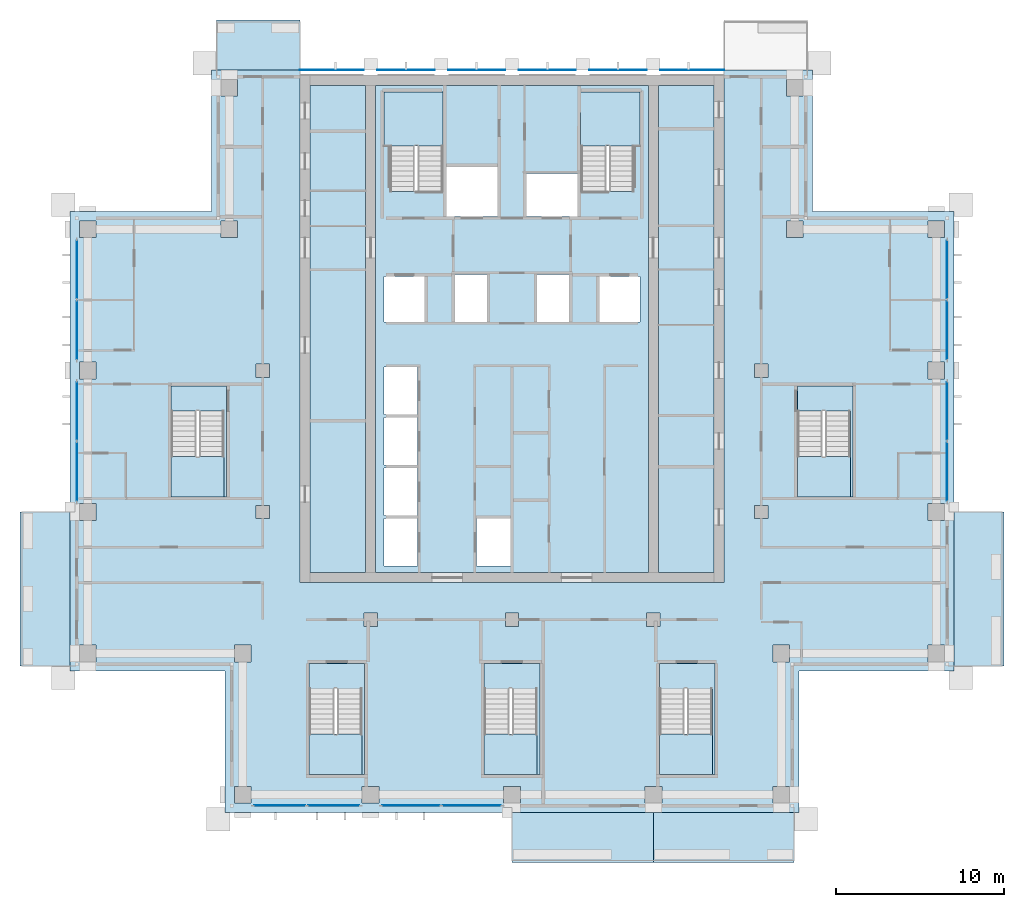
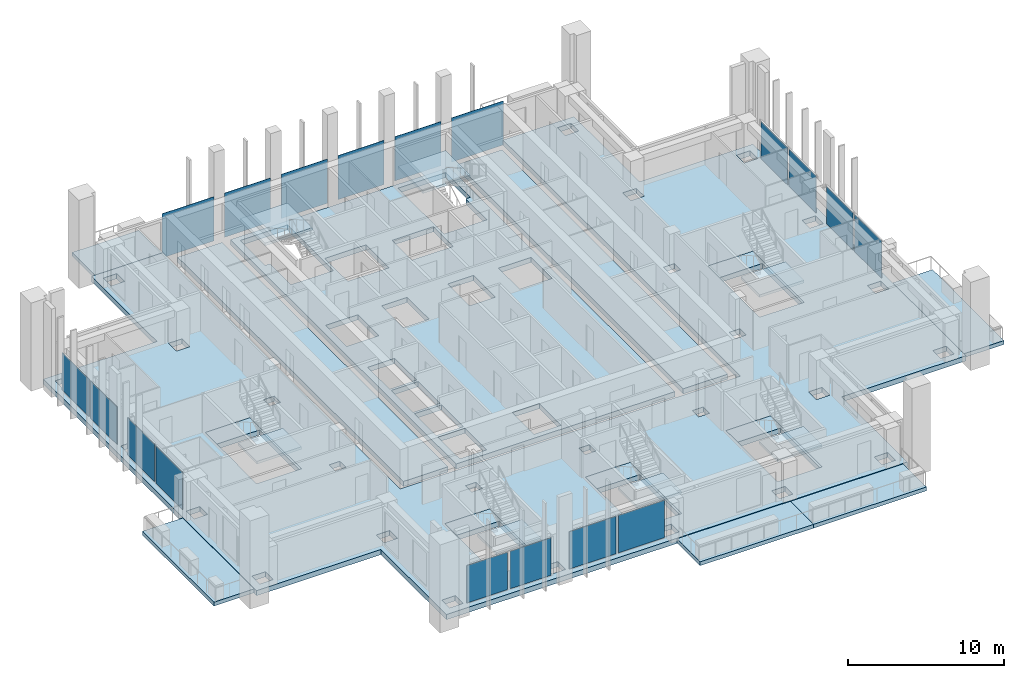
# One storey, part 7 of 18: 21 slabs, 18 plates, 13 elements without a shape of their own.
"""IFC4 building model written with IfcOpenShell, lengths in metres."""

import ifcopenshell
import ifcopenshell.guid

model = None  # the IFC model being written
_history = None  # IfcOwnerHistory: only IFC2X3 demands one
_inside = {}  # id of a spatial element -> (the spatial element, [elements in it])
_under = {}  # id of a project, library or spatial element -> (it, [spatial elements below it])
_declared = {}  # id of a project -> (the project, [libraries it declares])
_typed = {}  # id of a type object -> (the type object, [elements of that type])
_made_of = {}  # id of a material, layer set ... -> (it, [elements and type objects made of it])


def new_model(schema):
    """Start an empty IFC model of exactly this schema.

    Asked for "IFC4X3", IfcOpenShell would pick the latest addendum, in which some entities
    have other attributes; the version numbers below select the first issue.
    IFC2X3 requires an IfcOwnerHistory on every rooted entity: one is made here for all.
    """
    global model, _history
    if schema == "IFC4X3":
        model = ifcopenshell.file(schema_version=(4, 3, 0, 0))
    else:
        model = ifcopenshell.file(schema=schema)
    _inside.clear()
    _under.clear()
    _declared.clear()
    _typed.clear()
    _made_of.clear()
    _history = None
    if model.schema == "IFC2X3":
        org = make("IfcOrganization", Name="unknown")
        user = make(
            "IfcPersonAndOrganization",
            ThePerson=make("IfcPerson", FamilyName="unknown"),
            TheOrganization=org,
        )
        app = make(
            "IfcApplication",
            ApplicationDeveloper=org,
            Version="unknown",
            ApplicationFullName="unknown",
            ApplicationIdentifier="unknown",
        )
        _history = make(
            "IfcOwnerHistory",
            OwningUser=user,
            OwningApplication=app,
            ChangeAction="ADDED",
            CreationDate=0,
        )
    return model


def make(cls, **values):
    """One entity of the class cls with the attributes given. An attribute that is None is left unset."""
    return model.create_entity(
        cls, **{name: value for name, value in values.items() if value is not None}
    )


def rooted(cls, **values):
    """An entity with a GlobalId (a new one), such as an element, a storey or a relation."""
    return make(cls, GlobalId=ifcopenshell.guid.new(), OwnerHistory=_history, **values)


def si_unit(unit_type, name, prefix=None):
    """IfcSIUnit, for example si_unit("LENGTHUNIT", "METRE", prefix="MILLI")."""
    return make("IfcSIUnit", UnitType=unit_type, Prefix=prefix, Name=name)


def assignment(units):
    """IfcUnitAssignment: the units of a project."""
    return None if units is None else make("IfcUnitAssignment", Units=units)


def point(xyz):
    """IfcCartesianPoint."""
    return None if xyz is None else make("IfcCartesianPoint", Coordinates=xyz)


def direction(xyz):
    """IfcDirection."""
    return None if xyz is None else make("IfcDirection", DirectionRatios=xyz)


def frame(location, z_axis=None, x_axis=None):
    """IfcAxis2Placement3D, a coordinate frame: its origin and axes. An axis left out is left unset."""
    return make(
        "IfcAxis2Placement3D",
        Location=point(location),
        Axis=direction(z_axis),
        RefDirection=direction(x_axis),
    )


def frame_2d(location, x_axis=None):
    """IfcAxis2Placement2D, a coordinate frame in the plane: its origin and x axis."""
    return make(
        "IfcAxis2Placement2D", Location=point(location), RefDirection=direction(x_axis)
    )


def origin():
    """The frame at (0, 0, 0) with its axes left unset."""
    return frame((0.0, 0.0, 0.0))


def origin_2d():
    """The frame at (0, 0) in the plane with its x axis left unset."""
    return frame_2d((0.0, 0.0))


def place(relative_to, where):
    """IfcLocalPlacement: puts the frame where relative to a parent placement (None: the world)."""
    return make(
        "IfcLocalPlacement", PlacementRelTo=relative_to, RelativePlacement=where
    )


def context(
    kind, dimensions, precision=None, world=None, true_north=None, identifier=None
):
    """IfcGeometricRepresentationContext, for example the 3D "Model" context."""
    return make(
        "IfcGeometricRepresentationContext",
        ContextIdentifier=identifier,
        ContextType=kind,
        CoordinateSpaceDimension=dimensions,
        Precision=precision,
        WorldCoordinateSystem=world,
        TrueNorth=true_north,
    )


def subcontext(parent, identifier, kind, view, scale=None):
    """IfcGeometricRepresentationSubContext, for example "Body" below "Model"."""
    return make(
        "IfcGeometricRepresentationSubContext",
        ContextIdentifier=identifier,
        ContextType=kind,
        ParentContext=parent,
        TargetScale=scale,
        TargetView=view,
    )


def project(units=None, contexts=None):
    """IfcProject with its units and contexts."""
    return rooted(
        "IfcProject",
        Name="project",
        RepresentationContexts=contexts,
        UnitsInContext=assignment(units),
    )


def spatial(cls, under=None, at=None, **own):
    """A site, building, storey or space (cls), placed at a placement, below another one or the project."""
    s = rooted(cls, ObjectPlacement=at, **own)
    if under is not None:
        _under.setdefault(under.id(), (under, []))[1].append(s)
    return s


def polyline(points):
    """IfcPolyline through the points."""
    return make("IfcPolyline", Points=[point(p) for p in points])


def profile(cls, at=None, kind="AREA", **sizes):
    """A parametric profile (cls). Its sizes go by their IFC names, for example OverallWidth=200.0."""
    return make(cls, ProfileType=kind, Position=at, **sizes)


def rectangle(**sizes):
    """IfcRectangleProfileDef."""
    return profile("IfcRectangleProfileDef", **sizes)


def outline(outer, holes=None, kind="AREA"):
    """IfcArbitraryClosedProfileDef: a profile drawn as a closed curve; with holes, ...WithVoids."""
    if holes is None:
        return make("IfcArbitraryClosedProfileDef", ProfileType=kind, OuterCurve=outer)
    return make(
        "IfcArbitraryProfileDefWithVoids",
        ProfileType=kind,
        OuterCurve=outer,
        InnerCurves=holes,
    )


def extrude(swept, where, along, depth):
    """IfcExtrudedAreaSolid: the profile swept, set in the frame where, extruded along a direction by depth."""
    return make(
        "IfcExtrudedAreaSolid",
        SweptArea=swept,
        Position=where,
        ExtrudedDirection=direction(along),
        Depth=depth,
    )


def shape(context_of_items, identifier, shape_type, items):
    """IfcShapeRepresentation: the items that make up one representation, for example the "Body"."""
    return make(
        "IfcShapeRepresentation",
        ContextOfItems=context_of_items,
        RepresentationIdentifier=identifier,
        RepresentationType=shape_type,
        Items=items,
    )


def material(Name=None, Category=None):
    """IfcMaterial."""
    return make("IfcMaterial", Name=Name, Category=Category)


def layer(
    of_material, thickness, ventilated=None, Name=None, Category=None, Priority=None
):
    """IfcMaterialLayer: one layer of a wall or slab, of a material (None: an air gap)."""
    return make(
        "IfcMaterialLayer",
        Material=of_material,
        LayerThickness=thickness,
        IsVentilated=ventilated,
        Name=Name,
        Category=Category,
        Priority=Priority,
    )


def layer_set(layers, Name=None):
    """IfcMaterialLayerSet."""
    return make("IfcMaterialLayerSet", MaterialLayers=layers, LayerSetName=Name)


def made_of(thing, what):
    """Note that an element or type object is made of a material, layer set ...; save() writes the relation."""
    if what is not None:
        _made_of.setdefault(what.id(), (what, []))[1].append(thing)
    return thing


def type_object(cls, material=None, **own):
    """A type object (cls), such as IfcWallType, which elements share."""
    return made_of(rooted(cls, **own), material)


def element(
    cls,
    number,
    at=None,
    inside=None,
    cuts=None,
    type_object=None,
    material=None,
    context=None,
    identifier="Body",
    shape_type=None,
    held_by="IfcProductDefinitionShape",
    body=None,
    shapes=None,
    **own,
):
    """One element of the class cls, such as IfcWall. Its Tag is "e" and its number.

    at: its placement. inside: the storey or other place that contains it. cuts: it is an
    opening in that element (IfcRelVoidsElement). A single representation is given by context,
    identifier, shape_type and body (its items); several are given by shapes. held_by: the class
    of the entity that holds the representations. save() writes the other relations.
    """
    e = rooted(cls, Tag="e%d" % number, ObjectPlacement=at, **own)
    if body is not None:
        shapes = [shape(context, identifier, shape_type, body)]
    if shapes is not None:
        e.Representation = make(held_by, Representations=shapes)
    if inside is not None:
        _inside.setdefault(inside.id(), (inside, []))[1].append(e)
    if cuts is not None:
        rooted(
            "IfcRelVoidsElement", RelatingBuildingElement=cuts, RelatedOpeningElement=e
        )
    if type_object is not None:
        _typed.setdefault(type_object.id(), (type_object, []))[1].append(e)
    return made_of(e, material)


def aggregate(whole, parts):
    """IfcRelAggregates: a whole, such as a stair, and the parts it consists of."""
    return rooted("IfcRelAggregates", RelatingObject=whole, RelatedObjects=parts)


def save(model, path):
    """Write the relations noted so far, then the file.

    IfcRelAggregates (storeys below a building ...), IfcRelContainedInSpatialStructure (elements
    in a storey), IfcRelDefinesByType, IfcRelAssociatesMaterial and IfcRelDeclares: one each for
    every whole, place, type object, material and project.
    """
    for whole, parts in _under.values():
        aggregate(whole, parts)
    for where, things in _inside.values():
        rooted(
            "IfcRelContainedInSpatialStructure",
            RelatedElements=things,
            RelatingStructure=where,
        )
    for kind, things in _typed.values():
        rooted("IfcRelDefinesByType", RelatedObjects=things, RelatingType=kind)
    for what, things in _made_of.values():
        rooted("IfcRelAssociatesMaterial", RelatedObjects=things, RelatingMaterial=what)
    for by, libraries in _declared.values():
        rooted("IfcRelDeclares", RelatingContext=by, RelatedDefinitions=libraries)
    model.write(path)


model = new_model("IFC4")

# Units and contexts
model_context = context("Model", 3, precision=1e-05, world=origin(), true_north=direction((0.0, 1.0)))
body_context = subcontext(model_context, "Body", "Model", "MODEL_VIEW")
ifc_project = project(units=[si_unit("LENGTHUNIT", "METRE"), si_unit("AREAUNIT", "SQUARE_METRE"), si_unit("VOLUMEUNIT", "CUBIC_METRE"), si_unit("PLANEANGLEUNIT", "RADIAN"), si_unit("MASSUNIT", "GRAM", prefix="KILO")], contexts=[model_context])

# Site, building, storey
site_placement = place(None, origin())
site = spatial("IfcSite", under=ifc_project, at=site_placement, CompositionType="ELEMENT")
building_placement = place(site_placement, origin())
building = spatial("IfcBuilding", under=site, at=building_placement, Name="Vermilion Ogive Tower", CompositionType="ELEMENT")
storey_placement = place(building_placement, frame((0.0, 0.0, 185.89990234375)))
storey = spatial("IfcBuildingStorey", under=building, at=storey_placement, Name="L48", CompositionType="ELEMENT", Elevation=185.89990234375)

# Slabs
ifc_material_1 = material(Name="Concrete B40", Category="concrete")
ifc_layer_1 = layer(ifc_material_1, 0.300048828125)
ifc_layer_set_1 = layer_set([ifc_layer_1], Name="Balcony slab")
slab_type_1 = type_object("IfcSlabType", Name="Balcony slab", PredefinedType="FLOOR", material=ifc_layer_set_1)
slab_1_placement = place(storey_placement, frame((0.0, 0.0, -0.33984375)))
element("IfcSlab", 1, at=slab_1_placement, inside=storey, type_object=slab_type_1, Name="Balcony slab S03", PredefinedType="FLOOR", context=body_context, shape_type="SweptSolid", body=[
    extrude(outline(polyline([(0.0, -25.030029296875), (8.39990234375, -25.030029296875), (8.39990234375, -22.050048828125), (0.0, -22.050048828125), (0.0, -25.030029296875)])), origin(), (0.0, 0.0, 1.0), 0.300048828125),
])
slab_2_placement = place(storey_placement, frame((0.0, 0.0, -0.33984375)))
element("IfcSlab", 2, at=slab_2_placement, inside=storey, type_object=slab_type_1, Name="Balcony slab S04", PredefinedType="FLOOR", context=body_context, shape_type="SweptSolid", body=[
    extrude(outline(polyline([(8.39990234375, -25.030029296875), (16.75, -25.030029296875), (16.75, -22.050048828125), (8.39990234375, -22.050048828125), (8.39990234375, -25.030029296875)])), origin(), (0.0, 0.0, 1.0), 0.300048828125),
])
slab_3_placement = place(storey_placement, frame((0.0, 0.0, -0.33984375)))
element("IfcSlab", 3, at=slab_3_placement, inside=storey, type_object=slab_type_1, Name="Balcony slab E01", PredefinedType="FLOOR", context=body_context, shape_type="SweptSolid", body=[
    extrude(outline(polyline([(29.22998046875, -13.35009765625), (29.22998046875, -4.199951171875), (26.25, -4.199951171875), (26.25, -13.35009765625), (29.22998046875, -13.35009765625)])), origin(), (0.0, 0.0, 1.0), 0.300048828125),
])
slab_4_placement = place(storey_placement, frame((0.0, 0.0, -0.33984375)))
element("IfcSlab", 4, at=slab_4_placement, inside=storey, type_object=slab_type_1, Name="Balcony slab N201", PredefinedType="FLOOR", context=body_context, shape_type="SweptSolid", body=[
    extrude(outline(polyline([(-12.60009765625, 25.030029296875), (-17.550048828125, 25.030029296875), (-17.550048828125, 22.050048828125), (-12.60009765625, 22.050048828125), (-12.60009765625, 25.030029296875)])), origin(), (0.0, 0.0, 1.0), 0.300048828125),
])
slab_5_placement = place(storey_placement, frame((0.0, 0.0, -0.33984375)))
element("IfcSlab", 5, at=slab_5_placement, inside=storey, type_object=slab_type_1, Name="Balcony slab W03", PredefinedType="FLOOR", context=body_context, shape_type="SweptSolid", body=[
    extrude(outline(polyline([(-29.22998046875, -4.199951171875), (-29.22998046875, -13.35009765625), (-26.25, -13.35009765625), (-26.25, -4.199951171875), (-29.22998046875, -4.199951171875)])), origin(), (0.0, 0.0, 1.0), 0.300048828125),
])

# Curtain wall, plates
ifc_material_2 = material(Name="Low-iron laminated glazing in aluminium frame", Category="aluminium")
curtain_wall_type = type_object("IfcCurtainWallType", Name="Curtain wall CW7", PredefinedType="NOTDEFINED", material=ifc_material_2)
curtain_wall_1_placement = place(storey_placement, origin())
curtain_wall_1 = element("IfcCurtainWall", 6, at=curtain_wall_1_placement, inside=storey, type_object=curtain_wall_type, Name="Glazed skin S1", PredefinedType="NOTDEFINED")
ifc_material_3 = material(Name="Low-iron laminated glazing in aluminium frame", Category="aluminium")
ifc_layer_2 = layer(ifc_material_3, 0.031982421875)
ifc_layer_set_2 = layer_set([ifc_layer_2], Name="CW7 glazing panel 32")
plate_type_1 = type_object("IfcPlateType", Name="CW7 glazing panel 32", PredefinedType="CURTAIN_PANEL", material=ifc_layer_set_2)
plate_1_placement = place(storey_placement, frame((-13.804931640625, -21.64990234375, 0.06005859375), z_axis=(0.0, 0.0, 1.0), x_axis=(1.0, 0.0, 0.0)))
plate_1 = element("IfcPlate", 7, at=plate_1_placement, type_object=plate_type_1, Name="CW7-S1 panel 1.1", PredefinedType="CURTAIN_PANEL", context=body_context, shape_type="SweptSolid", body=[
    extrude(rectangle(XDim=3.030029296875, YDim=0.031982421875, at=origin_2d()), origin(), (0.0, 0.0, 1.0), 2.929931640625),
])
plate_2_placement = place(storey_placement, frame((-10.594970703125, -21.64990234375, 0.06005859375), z_axis=(0.0, 0.0, 1.0), x_axis=(1.0, 0.0, 0.0)))
plate_2 = element("IfcPlate", 8, at=plate_2_placement, type_object=plate_type_1, Name="CW7-S1 panel 2.1", PredefinedType="CURTAIN_PANEL", context=body_context, shape_type="SweptSolid", body=[
    extrude(rectangle(XDim=3.030029296875, YDim=0.031982421875, at=origin_2d()), origin(), (0.0, 0.0, 1.0), 2.929931640625),
])
aggregate(curtain_wall_1, [plate_1, plate_2])

curtain_wall_2_placement = place(storey_placement, origin())
curtain_wall_2 = element("IfcCurtainWall", 9, at=curtain_wall_2_placement, inside=storey, type_object=curtain_wall_type, Name="Glazed skin S2", PredefinedType="NOTDEFINED")
plate_3_placement = place(storey_placement, frame((-6.0048828125, -21.64990234375, 0.06005859375), z_axis=(0.0, 0.0, 1.0), x_axis=(1.0, 0.0, 0.0)))
plate_3 = element("IfcPlate", 10, at=plate_3_placement, type_object=plate_type_1, Name="CW7-S2 panel 1.1", PredefinedType="CURTAIN_PANEL", context=body_context, shape_type="SweptSolid", body=[
    extrude(rectangle(XDim=3.429931640625, YDim=0.031982421875, at=origin_2d()), origin(), (0.0, 0.0, 1.0), 2.929931640625),
])
plate_4_placement = place(storey_placement, frame((-2.39501953125, -21.64990234375, 0.06005859375), z_axis=(0.0, 0.0, 1.0), x_axis=(1.0, 0.0, 0.0)))
plate_4 = element("IfcPlate", 11, at=plate_4_placement, type_object=plate_type_1, Name="CW7-S2 panel 2.1", PredefinedType="CURTAIN_PANEL", context=body_context, shape_type="SweptSolid", body=[
    extrude(rectangle(XDim=3.429931640625, YDim=0.031982421875, at=origin_2d()), origin(), (0.0, 0.0, 1.0), 2.929931640625),
])
aggregate(curtain_wall_2, [plate_3, plate_4])

curtain_wall_3_placement = place(storey_placement, origin())
curtain_wall_3 = element("IfcCurtainWall", 12, at=curtain_wall_3_placement, inside=storey, type_object=curtain_wall_type, Name="Glazed skin E2", PredefinedType="NOTDEFINED")
plate_5_placement = place(storey_placement, frame((25.85009765625, -1.804931640625, 0.06005859375), z_axis=(0.0, 0.0, 1.0), x_axis=(0.0, 1.0, 0.0)))
plate_5 = element("IfcPlate", 13, at=plate_5_placement, type_object=plate_type_1, Name="CW7-E2 panel 1.1", PredefinedType="CURTAIN_PANEL", context=body_context, shape_type="SweptSolid", body=[
    extrude(rectangle(XDim=3.429931640625, YDim=0.031982421875, at=origin_2d()), origin(), (0.0, 0.0, 1.0), 2.929931640625),
])
plate_6_placement = place(storey_placement, frame((25.85009765625, 1.804931640625, 0.06005859375), z_axis=(0.0, 0.0, 1.0), x_axis=(0.0, 1.0, 0.0)))
plate_6 = element("IfcPlate", 14, at=plate_6_placement, type_object=plate_type_1, Name="CW7-E2 panel 2.1", PredefinedType="CURTAIN_PANEL", context=body_context, shape_type="SweptSolid", body=[
    extrude(rectangle(XDim=3.429931640625, YDim=0.031982421875, at=origin_2d()), origin(), (0.0, 0.0, 1.0), 2.929931640625),
])
aggregate(curtain_wall_3, [plate_5, plate_6])

curtain_wall_4_placement = place(storey_placement, origin())
curtain_wall_4 = element("IfcCurtainWall", 15, at=curtain_wall_4_placement, inside=storey, type_object=curtain_wall_type, Name="Glazed skin E3", PredefinedType="NOTDEFINED")
plate_7_placement = place(storey_placement, frame((25.85009765625, 6.594970703125, 0.06005859375), z_axis=(0.0, 0.0, 1.0), x_axis=(0.0, 1.0, 0.0)))
plate_7 = element("IfcPlate", 16, at=plate_7_placement, type_object=plate_type_1, Name="CW7-E3 panel 1.1", PredefinedType="CURTAIN_PANEL", context=body_context, shape_type="SweptSolid", body=[
    extrude(rectangle(XDim=3.429931640625, YDim=0.031982421875, at=origin_2d()), origin(), (0.0, 0.0, 1.0), 2.929931640625),
])
plate_8_placement = place(storey_placement, frame((25.85009765625, 10.205078125, 0.06005859375), z_axis=(0.0, 0.0, 1.0), x_axis=(0.0, 1.0, 0.0)))
plate_8 = element("IfcPlate", 17, at=plate_8_placement, type_object=plate_type_1, Name="CW7-E3 panel 2.1", PredefinedType="CURTAIN_PANEL", context=body_context, shape_type="SweptSolid", body=[
    extrude(rectangle(XDim=3.429931640625, YDim=0.031982421875, at=origin_2d()), origin(), (0.0, 0.0, 1.0), 2.929931640625),
])
aggregate(curtain_wall_4, [plate_7, plate_8])

curtain_wall_5_placement = place(storey_placement, origin())
curtain_wall_5 = element("IfcCurtainWall", 18, at=curtain_wall_5_placement, inside=storey, type_object=curtain_wall_type, Name="Glazed skin W1", PredefinedType="NOTDEFINED")
plate_9_placement = place(storey_placement, frame((-25.85009765625, 10.205078125, 0.06005859375), z_axis=(0.0, 0.0, 1.0), x_axis=(0.0, -1.0, 0.0)))
plate_9 = element("IfcPlate", 19, at=plate_9_placement, type_object=plate_type_1, Name="CW7-W1 panel 1.1", PredefinedType="CURTAIN_PANEL", context=body_context, shape_type="SweptSolid", body=[
    extrude(rectangle(XDim=3.429931640625, YDim=0.031982421875, at=origin_2d()), origin(), (0.0, 0.0, 1.0), 2.929931640625),
])
plate_10_placement = place(storey_placement, frame((-25.85009765625, 6.594970703125, 0.06005859375), z_axis=(0.0, 0.0, 1.0), x_axis=(0.0, -1.0, 0.0)))
plate_10 = element("IfcPlate", 20, at=plate_10_placement, type_object=plate_type_1, Name="CW7-W1 panel 2.1", PredefinedType="CURTAIN_PANEL", context=body_context, shape_type="SweptSolid", body=[
    extrude(rectangle(XDim=3.429931640625, YDim=0.031982421875, at=origin_2d()), origin(), (0.0, 0.0, 1.0), 2.929931640625),
])
aggregate(curtain_wall_5, [plate_9, plate_10])

curtain_wall_6_placement = place(storey_placement, origin())
curtain_wall_6 = element("IfcCurtainWall", 21, at=curtain_wall_6_placement, inside=storey, type_object=curtain_wall_type, Name="Glazed skin W2", PredefinedType="NOTDEFINED")
plate_11_placement = place(storey_placement, frame((-25.85009765625, 1.804931640625, 0.06005859375), z_axis=(0.0, 0.0, 1.0), x_axis=(0.0, -1.0, 0.0)))
plate_11 = element("IfcPlate", 22, at=plate_11_placement, type_object=plate_type_1, Name="CW7-W2 panel 1.1", PredefinedType="CURTAIN_PANEL", context=body_context, shape_type="SweptSolid", body=[
    extrude(rectangle(XDim=3.429931640625, YDim=0.031982421875, at=origin_2d()), origin(), (0.0, 0.0, 1.0), 2.929931640625),
])
plate_12_placement = place(storey_placement, frame((-25.85009765625, -1.804931640625, 0.06005859375), z_axis=(0.0, 0.0, 1.0), x_axis=(0.0, -1.0, 0.0)))
plate_12 = element("IfcPlate", 23, at=plate_12_placement, type_object=plate_type_1, Name="CW7-W2 panel 2.1", PredefinedType="CURTAIN_PANEL", context=body_context, shape_type="SweptSolid", body=[
    extrude(rectangle(XDim=3.429931640625, YDim=0.031982421875, at=origin_2d()), origin(), (0.0, 0.0, 1.0), 2.929931640625),
])
aggregate(curtain_wall_6, [plate_11, plate_12])

# Slabs
ifc_material_4 = material(Name="Concrete B40", Category="concrete")
ifc_layer_3 = layer(ifc_material_4, 0.39990234375)
ifc_layer_set_3 = layer_set([ifc_layer_3], Name="Core floor slab 400 B40")
slab_type_2 = type_object("IfcSlabType", Name="Core floor slab 400 B40", PredefinedType="FLOOR", material=ifc_layer_set_3)
slab_6_placement = place(storey_placement, frame((0.0, 0.0, -0.39990234375)))
element("IfcSlab", 24, at=slab_6_placement, inside=storey, type_object=slab_type_2, Name="L48-CK-FS1", PredefinedType="FLOOR", context=body_context, shape_type="SweptSolid", body=[
    extrude(outline(polyline([(-11.99609375, 21.14599609375), (-8.7041015625, 21.14599609375), (-8.7041015625, -7.7958984375), (-11.99609375, -7.7958984375), (-11.99609375, 21.14599609375)])), origin(), (0.0, 0.0, 1.0), 0.39990234375),
])
slab_7_placement = place(storey_placement, frame((0.0, 0.0, -0.39990234375)))
element("IfcSlab", 25, at=slab_7_placement, inside=storey, type_object=slab_type_2, Name="L48-CK-FS2", PredefinedType="FLOOR", context=body_context, shape_type="SweptSolid", body=[
    extrude(outline(polyline([(-8.095947265625, -7.7958984375), (8.095947265625, -7.7958984375), (8.095947265625, 21.14599609375), (-8.095947265625, 21.14599609375), (-8.095947265625, -7.7958984375)]), holes=[polyline([(-7.60009765625, -7.39990234375), (-7.60009765625, -4.60009765625), (-5.60009765625, -4.60009765625), (-5.60009765625, -7.39990234375), (-7.60009765625, -7.39990234375)]), polyline([(-7.60009765625, -4.39990234375), (-7.60009765625, -1.60009765625), (-5.60009765625, -1.60009765625), (-5.60009765625, -4.39990234375), (-7.60009765625, -4.39990234375)]), polyline([(-7.60009765625, -1.39990234375), (-7.60009765625, 1.39990234375), (-5.60009765625, 1.39990234375), (-5.60009765625, -1.39990234375), (-7.60009765625, -1.39990234375)]), polyline([(-7.60009765625, 1.60009765625), (-7.60009765625, 4.39990234375), (-5.60009765625, 4.39990234375), (-5.60009765625, 1.60009765625), (-7.60009765625, 1.60009765625)]), polyline([(-7.60009765625, 7.10009765625), (-7.60009765625, 9.800048828125), (-5.199951171875, 9.800048828125), (-5.199951171875, 7.10009765625), (-7.60009765625, 7.10009765625)]), polyline([(-3.39990234375, 9.89990234375), (-1.5, 9.89990234375), (-1.5, 7.10009765625), (-3.39990234375, 7.10009765625), (-3.39990234375, 9.89990234375)]), polyline([(-7.60009765625, 17.550048828125), (-7.60009765625, 20.75), (-4.10009765625, 20.75), (-4.10009765625, 14.85205078125), (-5.60009765625, 14.85205078125), (-5.60009765625, 14.85009765625), (-5.75, 14.85009765625), (-5.75, 14.85205078125), (-7.25, 14.85205078125), (-7.25, 17.550048828125), (-7.60009765625, 17.550048828125)]), polyline([(-2.10009765625, -7.39990234375), (-2.10009765625, -4.60009765625), (-0.10009765625, -4.60009765625), (-0.10009765625, -7.39990234375), (-2.10009765625, -7.39990234375)]), polyline([(5.199951171875, 7.10009765625), (5.199951171875, 9.800048828125), (7.60009765625, 9.800048828125), (7.60009765625, 7.10009765625), (5.199951171875, 7.10009765625)]), polyline([(1.5, 7.10009765625), (1.5, 9.89990234375), (3.39990234375, 9.89990234375), (3.39990234375, 7.10009765625), (1.5, 7.10009765625)]), polyline([(0.85009765625, 13.35009765625), (0.85009765625, 15.89990234375), (3.89990234375, 15.89990234375), (3.89990234375, 13.35009765625), (0.85009765625, 13.35009765625)]), polyline([(-3.89990234375, 16.300048828125), (-0.85009765625, 16.300048828125), (-0.85009765625, 13.35009765625), (-3.89990234375, 13.35009765625), (-3.89990234375, 16.300048828125)]), polyline([(5.75, 14.85009765625), (5.60009765625, 14.85009765625), (5.60009765625, 14.85205078125), (4.10009765625, 14.85205078125), (4.10009765625, 17.550048828125), (4.074951171875, 17.550048828125), (4.074951171875, 20.75), (7.60009765625, 20.75), (7.60009765625, 17.550048828125), (7.25, 17.550048828125), (7.25, 14.85205078125), (5.75, 14.85205078125), (5.75, 14.85009765625)])]), origin(), (0.0, 0.0, 1.0), 0.39990234375),
])
slab_8_placement = place(storey_placement, frame((0.0, 0.0, -0.39990234375)))
element("IfcSlab", 26, at=slab_8_placement, inside=storey, type_object=slab_type_2, Name="L48-CK-FS3", PredefinedType="FLOOR", context=body_context, shape_type="SweptSolid", body=[
    extrude(outline(polyline([(11.99609375, 21.14599609375), (11.99609375, -7.7958984375), (8.7041015625, -7.7958984375), (8.7041015625, 21.14599609375), (11.99609375, 21.14599609375)])), origin(), (0.0, 0.0, 1.0), 0.39990234375),
])
slab_9_placement = place(storey_placement, frame((0.0, 0.0, -0.39990234375)))
element("IfcSlab", 27, at=slab_9_placement, inside=storey, type_object=slab_type_2, Name="L48-SF-ST3-1", PredefinedType="FLOOR", context=body_context, shape_type="SweptSolid", body=[
    extrude(outline(polyline([(-12.050048828125, -13.199951171875), (-12.050048828125, -14.701904296875), (-10.550048828125, -14.701904296875), (-10.550048828125, -14.699951171875), (-10.39990234375, -14.699951171875), (-10.39990234375, -14.701904296875), (-8.89990234375, -14.701904296875), (-8.89990234375, -19.800048828125), (-8.75, -19.800048828125), (-8.75, -13.199951171875), (-12.050048828125, -13.199951171875)])), origin(), (0.0, 0.0, 1.0), 0.39990234375),
])
slab_10_placement = place(storey_placement, frame((0.0, 0.0, -0.39990234375)))
element("IfcSlab", 28, at=slab_10_placement, inside=storey, type_object=slab_type_2, Name="L48-SF-ST4-1", PredefinedType="FLOOR", context=body_context, shape_type="SweptSolid", body=[
    extrude(outline(polyline([(-1.64990234375, -13.199951171875), (-1.64990234375, -14.701904296875), (-0.14990234375, -14.701904296875), (-0.14990234375, -14.699951171875), (0.0, -14.699951171875), (0.0, -14.701904296875), (1.5, -14.701904296875), (1.5, -19.800048828125), (1.64990234375, -19.800048828125), (1.64990234375, -13.199951171875), (-1.64990234375, -13.199951171875)])), origin(), (0.0, 0.0, 1.0), 0.39990234375),
])
slab_11_placement = place(storey_placement, frame((0.0, 0.0, -0.39990234375)))
element("IfcSlab", 29, at=slab_11_placement, inside=storey, type_object=slab_type_2, Name="L48-SF-ST5-1", PredefinedType="FLOOR", context=body_context, shape_type="SweptSolid", body=[
    extrude(outline(polyline([(8.75, -13.199951171875), (8.75, -14.701904296875), (10.25, -14.701904296875), (10.25, -14.699951171875), (10.39990234375, -14.699951171875), (10.39990234375, -14.701904296875), (11.89990234375, -14.701904296875), (11.89990234375, -19.800048828125), (12.050048828125, -19.800048828125), (12.050048828125, -13.199951171875), (8.75, -13.199951171875)])), origin(), (0.0, 0.0, 1.0), 0.39990234375),
])
slab_12_placement = place(storey_placement, frame((0.0, 0.0, -0.39990234375)))
element("IfcSlab", 30, at=slab_12_placement, inside=storey, type_object=slab_type_2, Name="L48-SF-ST8-1", PredefinedType="FLOOR", context=body_context, shape_type="SweptSolid", body=[
    extrude(outline(polyline([(16.949951171875, 3.300048828125), (16.949951171875, 1.798095703125), (18.449951171875, 1.798095703125), (18.449951171875, 1.800048828125), (18.60009765625, 1.800048828125), (18.60009765625, 1.798095703125), (20.10009765625, 1.798095703125), (20.10009765625, -3.300048828125), (20.25, -3.300048828125), (20.25, 3.300048828125), (16.949951171875, 3.300048828125)])), origin(), (0.0, 0.0, 1.0), 0.39990234375),
])
slab_13_placement = place(storey_placement, frame((0.0, 0.0, -0.39990234375)))
element("IfcSlab", 31, at=slab_13_placement, inside=storey, type_object=slab_type_2, Name="L48-SF-ST9-1", PredefinedType="FLOOR", context=body_context, shape_type="SweptSolid", body=[
    extrude(outline(polyline([(-20.25, 3.300048828125), (-20.25, 1.798095703125), (-18.75, 1.798095703125), (-18.75, 1.800048828125), (-18.60009765625, 1.800048828125), (-18.60009765625, 1.798095703125), (-17.10009765625, 1.798095703125), (-17.10009765625, -3.300048828125), (-16.949951171875, -3.300048828125), (-16.949951171875, 3.300048828125), (-20.25, 3.300048828125)])), origin(), (0.0, 0.0, 1.0), 0.39990234375),
])

# Plates
ifc_material_5 = material(Name="Low-iron laminated glazing in aluminium frame", Category="aluminium")
ifc_layer_4 = layer(ifc_material_5, 0.031982421875)
ifc_layer_set_4 = layer_set([ifc_layer_4], Name="Glazed rainscreen sheet 32")
plate_type_2 = type_object("IfcPlateType", Name="Glazed rainscreen sheet 32", PredefinedType="SHEET", material=ifc_layer_set_4)
plate_13_placement = place(storey_placement, frame((-10.7099609375, 22.06591796875, -0.39990234375), z_axis=(0.0, 0.0, 1.0), x_axis=(1.0, 0.0, 0.0)))
element("IfcPlate", 32, at=plate_13_placement, inside=storey, type_object=plate_type_2, Name="Glazed rainscreen sheet N1", PredefinedType="SHEET", context=body_context, shape_type="SweptSolid", body=[
    extrude(rectangle(XDim=3.820068359375, YDim=0.031982421875, at=origin_2d()), origin(), (0.0, 0.0, 1.0), 3.449951171875),
])
for number, where, z_axis, x_axis, name in (
    (33, (-6.300048828125, 22.06591796875, -0.39990234375), (0.0, 0.0, 1.0), (1.0, 0.0, 0.0), "Glazed rainscreen sheet N2"),
    (34, (-2.10009765625, 22.06591796875, -0.39990234375), (0.0, 0.0, 1.0), (1.0, 0.0, 0.0), "Glazed rainscreen sheet N3"),
    (35, (2.10009765625, 22.06591796875, -0.39990234375), (0.0, 0.0, 1.0), (1.0, 0.0, 0.0), "Glazed rainscreen sheet N4"),
    (36, (6.300048828125, 22.06591796875, -0.39990234375), (0.0, 0.0, 1.0), (1.0, 0.0, 0.0), "Glazed rainscreen sheet N5"),
):
    element("IfcPlate", number, at=place(storey_placement, frame(where, z_axis=z_axis, x_axis=x_axis)), inside=storey, type_object=plate_type_2, Name=name, PredefinedType="SHEET", context=body_context, shape_type="SweptSolid", body=[
        extrude(rectangle(XDim=3.39990234375, YDim=0.031982421875, at=origin_2d()), origin(), (0.0, 0.0, 1.0), 3.449951171875),
    ])
plate_14_placement = place(storey_placement, frame((10.7099609375, 22.06591796875, -0.39990234375), z_axis=(0.0, 0.0, 1.0), x_axis=(1.0, 0.0, 0.0)))
element("IfcPlate", 37, at=plate_14_placement, inside=storey, type_object=plate_type_2, Name="Glazed rainscreen sheet N6", PredefinedType="SHEET", context=body_context, shape_type="SweptSolid", body=[
    extrude(rectangle(XDim=3.820068359375, YDim=0.031982421875, at=origin_2d()), origin(), (0.0, 0.0, 1.0), 3.449951171875),
])

# Slab
ifc_material_6 = material(Name="Concrete B45", Category="concrete")
ifc_layer_5 = layer(ifc_material_6, 0.39990234375)
ifc_layer_set_5 = layer_set([ifc_layer_5], Name="Post-tensioned flat plate 400 B45")
slab_type_3 = type_object("IfcSlabType", Name="Post-tensioned flat plate 400 B45", PredefinedType="FLOOR", material=ifc_layer_set_5)
slab_14_placement = place(storey_placement, frame((0.0, 0.0, -0.39990234375)))
element("IfcSlab", 38, at=slab_14_placement, inside=storey, type_object=slab_type_3, Name="L48-SL-1", PredefinedType="FLOOR", context=body_context, shape_type="SweptSolid", body=[
    extrude(outline(polyline([(-26.25, -13.64990234375), (-17.050048828125, -13.64990234375), (-17.050048828125, -22.050048828125), (17.050048828125, -22.050048828125), (17.050048828125, -13.64990234375), (26.25, -13.64990234375), (26.25, 13.64990234375), (17.85009765625, 13.64990234375), (17.85009765625, 22.050048828125), (12.60009765625, 22.050048828125), (12.60009765625, -8.39990234375), (-12.60009765625, -8.39990234375), (-12.60009765625, 22.050048828125), (-17.85009765625, 22.050048828125), (-17.85009765625, 13.64990234375), (-26.25, 13.64990234375), (-26.25, -13.64990234375)]), holes=[polyline([(25.699951171875, -3.699951171875), (25.699951171875, -4.699951171875), (24.699951171875, -4.699951171875), (24.699951171875, -3.699951171875), (25.699951171875, -3.699951171875)]), polyline([(25.699951171875, -12.10009765625), (25.699951171875, -13.10009765625), (24.699951171875, -13.10009765625), (24.699951171875, -12.10009765625), (25.699951171875, -12.10009765625)]), polyline([(25.699951171875, 12.10009765625), (24.699951171875, 12.10009765625), (24.699951171875, 13.10009765625), (25.699951171875, 13.10009765625), (25.699951171875, 12.10009765625)]), polyline([(25.699951171875, 3.699951171875), (24.699951171875, 3.699951171875), (24.699951171875, 4.699951171875), (25.699951171875, 4.699951171875), (25.699951171875, 3.699951171875)]), polyline([(20.25, 3.300048828125), (20.25, -3.300048828125), (16.949951171875, -3.300048828125), (16.949951171875, 3.300048828125), (20.25, 3.300048828125)]), polyline([(17.300048828125, 13.10009765625), (17.300048828125, 12.10009765625), (16.300048828125, 12.10009765625), (16.300048828125, 13.10009765625), (17.300048828125, 13.10009765625)]), polyline([(17.300048828125, 20.5), (16.300048828125, 20.5), (16.300048828125, 21.5), (17.300048828125, 21.5), (17.300048828125, 20.5)]), polyline([(16.5, -12.10009765625), (16.5, -13.10009765625), (15.5, -13.10009765625), (15.5, -12.10009765625), (16.5, -12.10009765625)]), polyline([(16.5, -20.5), (16.5, -21.5), (15.5, -21.5), (15.5, -20.5), (16.5, -20.5)]), polyline([(15.199951171875, 4.60009765625), (15.199951171875, 3.800048828125), (14.39990234375, 3.800048828125), (14.39990234375, 4.60009765625), (15.199951171875, 4.60009765625)]), polyline([(15.199951171875, -4.60009765625), (14.39990234375, -4.60009765625), (14.39990234375, -3.800048828125), (15.199951171875, -3.800048828125), (15.199951171875, -4.60009765625)]), polyline([(12.050048828125, -13.199951171875), (12.050048828125, -19.800048828125), (8.75, -19.800048828125), (8.75, -13.199951171875), (12.050048828125, -13.199951171875)]), polyline([(8.89990234375, -20.5), (8.89990234375, -21.5), (7.89990234375, -21.5), (7.89990234375, -20.5), (8.89990234375, -20.5)]), polyline([(8.800048828125, -11.0), (8.0, -11.0), (8.0, -10.199951171875), (8.800048828125, -10.199951171875), (8.800048828125, -11.0)]), polyline([(1.64990234375, -13.199951171875), (1.64990234375, -19.800048828125), (-1.64990234375, -19.800048828125), (-1.64990234375, -13.199951171875), (1.64990234375, -13.199951171875)]), polyline([(0.5, -20.5), (0.5, -21.5), (-0.5, -21.5), (-0.5, -20.5), (0.5, -20.5)]), polyline([(0.39990234375, -10.199951171875), (0.39990234375, -11.0), (-0.39990234375, -11.0), (-0.39990234375, -10.199951171875), (0.39990234375, -10.199951171875)]), polyline([(-7.89990234375, -20.5), (-7.89990234375, -21.5), (-8.89990234375, -21.5), (-8.89990234375, -20.5), (-7.89990234375, -20.5)]), polyline([(-8.0, -10.199951171875), (-8.0, -11.0), (-8.800048828125, -11.0), (-8.800048828125, -10.199951171875), (-8.0, -10.199951171875)]), polyline([(-8.75, -13.199951171875), (-8.75, -19.800048828125), (-12.050048828125, -19.800048828125), (-12.050048828125, -13.199951171875), (-8.75, -13.199951171875)]), polyline([(-14.39990234375, 4.60009765625), (-14.39990234375, 3.800048828125), (-15.199951171875, 3.800048828125), (-15.199951171875, 4.60009765625), (-14.39990234375, 4.60009765625)]), polyline([(-14.39990234375, -4.60009765625), (-15.199951171875, -4.60009765625), (-15.199951171875, -3.800048828125), (-14.39990234375, -3.800048828125), (-14.39990234375, -4.60009765625)]), polyline([(-15.5, -12.10009765625), (-15.5, -13.10009765625), (-16.5, -13.10009765625), (-16.5, -12.10009765625), (-15.5, -12.10009765625)]), polyline([(-15.5, -20.5), (-15.5, -21.5), (-16.5, -21.5), (-16.5, -20.5), (-15.5, -20.5)]), polyline([(-16.300048828125, 13.10009765625), (-16.300048828125, 12.10009765625), (-17.300048828125, 12.10009765625), (-17.300048828125, 13.10009765625), (-16.300048828125, 13.10009765625)]), polyline([(-16.300048828125, 20.5), (-17.300048828125, 20.5), (-17.300048828125, 21.5), (-16.300048828125, 21.5), (-16.300048828125, 20.5)]), polyline([(-16.949951171875, 3.300048828125), (-16.949951171875, -3.300048828125), (-20.25, -3.300048828125), (-20.25, -3.2998046875), (-20.275146484375, -3.2998046875), (-20.275146484375, -0.89990234375), (-20.25, -0.89990234375), (-20.25, 3.300048828125), (-16.949951171875, 3.300048828125)]), polyline([(-24.699951171875, 3.699951171875), (-25.699951171875, 3.699951171875), (-25.699951171875, 4.699951171875), (-24.699951171875, 4.699951171875), (-24.699951171875, 3.699951171875)]), polyline([(-24.699951171875, 13.10009765625), (-24.699951171875, 12.10009765625), (-25.699951171875, 12.10009765625), (-25.699951171875, 13.10009765625), (-24.699951171875, 13.10009765625)]), polyline([(-24.699951171875, -3.699951171875), (-24.699951171875, -4.699951171875), (-25.699951171875, -4.699951171875), (-25.699951171875, -3.699951171875), (-24.699951171875, -3.699951171875)]), polyline([(-24.699951171875, -12.10009765625), (-24.699951171875, -13.10009765625), (-25.699951171875, -13.10009765625), (-25.699951171875, -12.10009765625), (-24.699951171875, -12.10009765625)])]), origin(), (0.0, 0.0, 1.0), 0.39990234375),
])

# Stair, slab
ifc_material_7 = material(Name="Concrete B40", Category="concrete")
stair_type = type_object("IfcStairType", Name="Exit stair 1500", PredefinedType="HALF_TURN_STAIR", material=ifc_material_7)
stair_1_placement = place(storey_placement, origin())
stair_1 = element("IfcStair", 39, at=stair_1_placement, inside=storey, type_object=stair_type, Name="L48 Exit Stair ST1", PredefinedType="HALF_TURN_STAIR")
ifc_material_8 = material(Name="Concrete B40", Category="concrete")
ifc_layer_6 = layer(ifc_material_8, 0.199951171875)
ifc_layer_set_6 = layer_set([ifc_layer_6], Name="Stair landing 200")
slab_type_4 = type_object("IfcSlabType", Name="Stair landing 200", PredefinedType="LANDING", material=ifc_layer_set_6)
slab_15_placement = place(storey_placement, frame((0.0, 0.0, 1.525146484375)))
slab_15 = element("IfcSlab", 40, at=slab_15_placement, type_object=slab_type_4, Name="ST1 landing 1", PredefinedType="LANDING", context=body_context, shape_type="SweptSolid", body=[
    extrude(outline(polyline([(-7.60009765625, 17.550048828125), (-7.25, 17.550048828125), (-7.25, 17.548095703125), (-5.75, 17.548095703125), (-5.75, 17.550048828125), (-5.60009765625, 17.550048828125), (-5.60009765625, 17.548095703125), (-4.10009765625, 17.548095703125), (-4.10009765625, 20.75), (-7.60009765625, 20.75), (-7.60009765625, 17.550048828125)])), origin(), (0.0, 0.0, 1.0), 0.199951171875),
])
aggregate(stair_1, [slab_15])

stair_2_placement = place(storey_placement, origin())
stair_2 = element("IfcStair", 41, at=stair_2_placement, inside=storey, type_object=stair_type, Name="L48 Exit Stair ST2", PredefinedType="HALF_TURN_STAIR")
slab_16_placement = place(storey_placement, frame((0.0, 0.0, 1.525146484375)))
slab_16 = element("IfcSlab", 42, at=slab_16_placement, type_object=slab_type_4, Name="ST2 landing 1", PredefinedType="LANDING", context=body_context, shape_type="SweptSolid", body=[
    extrude(outline(polyline([(5.60009765625, 17.550048828125), (5.75, 17.550048828125), (5.75, 17.548095703125), (7.25, 17.548095703125), (7.25, 17.550048828125), (7.60009765625, 17.550048828125), (7.60009765625, 20.75), (4.074951171875, 20.75), (4.074951171875, 17.550048828125), (4.10009765625, 17.550048828125), (4.10009765625, 17.548095703125), (5.60009765625, 17.548095703125), (5.60009765625, 17.550048828125)])), origin(), (0.0, 0.0, 1.0), 0.199951171875),
])
aggregate(stair_2, [slab_16])

stair_3_placement = place(storey_placement, origin())
stair_3 = element("IfcStair", 43, at=stair_3_placement, inside=storey, type_object=stair_type, Name="L48 Exit Stair ST3", PredefinedType="HALF_TURN_STAIR")
slab_17_placement = place(storey_placement, frame((0.0, 0.0, 1.525146484375)))
slab_17 = element("IfcSlab", 44, at=slab_17_placement, type_object=slab_type_4, Name="ST3 landing 1", PredefinedType="LANDING", context=body_context, shape_type="SweptSolid", body=[
    extrude(outline(polyline([(-8.75, -17.39990234375), (-8.89990234375, -17.39990234375), (-8.89990234375, -17.39794921875), (-10.39990234375, -17.39794921875), (-10.39990234375, -17.39990234375), (-10.550048828125, -17.39990234375), (-10.550048828125, -17.39794921875), (-12.050048828125, -17.39794921875), (-12.050048828125, -19.800048828125), (-8.75, -19.800048828125), (-8.75, -17.39990234375)])), origin(), (0.0, 0.0, 1.0), 0.199951171875),
])
aggregate(stair_3, [slab_17])

stair_4_placement = place(storey_placement, origin())
stair_4 = element("IfcStair", 45, at=stair_4_placement, inside=storey, type_object=stair_type, Name="L48 Exit Stair ST4", PredefinedType="HALF_TURN_STAIR")
slab_18_placement = place(storey_placement, frame((0.0, 0.0, 1.525146484375)))
slab_18 = element("IfcSlab", 46, at=slab_18_placement, type_object=slab_type_4, Name="ST4 landing 1", PredefinedType="LANDING", context=body_context, shape_type="SweptSolid", body=[
    extrude(outline(polyline([(1.64990234375, -17.39990234375), (1.5, -17.39990234375), (1.5, -17.39794921875), (0.0, -17.39794921875), (0.0, -17.39990234375), (-0.14990234375, -17.39990234375), (-0.14990234375, -17.39794921875), (-1.64990234375, -17.39794921875), (-1.64990234375, -19.7998046875), (1.64990234375, -19.7998046875), (1.64990234375, -17.39990234375)])), origin(), (0.0, 0.0, 1.0), 0.199951171875),
])
aggregate(stair_4, [slab_18])

stair_5_placement = place(storey_placement, origin())
stair_5 = element("IfcStair", 47, at=stair_5_placement, inside=storey, type_object=stair_type, Name="L48 Exit Stair ST5", PredefinedType="HALF_TURN_STAIR")
slab_19_placement = place(storey_placement, frame((0.0, 0.0, 1.525146484375)))
slab_19 = element("IfcSlab", 48, at=slab_19_placement, type_object=slab_type_4, Name="ST5 landing 1", PredefinedType="LANDING", context=body_context, shape_type="SweptSolid", body=[
    extrude(outline(polyline([(12.050048828125, -17.39990234375), (11.89990234375, -17.39990234375), (11.89990234375, -17.39794921875), (10.39990234375, -17.39794921875), (10.39990234375, -17.39990234375), (10.25, -17.39990234375), (10.25, -17.39794921875), (8.75, -17.39794921875), (8.75, -19.800048828125), (12.050048828125, -19.800048828125), (12.050048828125, -17.39990234375)])), origin(), (0.0, 0.0, 1.0), 0.199951171875),
])
aggregate(stair_5, [slab_19])

stair_6_placement = place(storey_placement, origin())
stair_6 = element("IfcStair", 49, at=stair_6_placement, inside=storey, type_object=stair_type, Name="L48 Exit Stair ST8", PredefinedType="HALF_TURN_STAIR")
slab_20_placement = place(storey_placement, frame((0.0, 0.0, 1.525146484375)))
slab_20 = element("IfcSlab", 50, at=slab_20_placement, type_object=slab_type_4, Name="ST8 landing 1", PredefinedType="LANDING", context=body_context, shape_type="SweptSolid", body=[
    extrude(outline(polyline([(20.25, -0.89990234375), (20.10009765625, -0.89990234375), (20.10009765625, -0.89794921875), (18.60009765625, -0.89794921875), (18.60009765625, -0.89990234375), (18.449951171875, -0.89990234375), (18.449951171875, -0.89794921875), (16.949951171875, -0.89794921875), (16.949951171875, -0.902099609375), (16.9501953125, -0.902099609375), (16.9501953125, -3.2998046875), (20.25, -3.2998046875), (20.25, -0.89990234375)])), origin(), (0.0, 0.0, 1.0), 0.199951171875),
])
aggregate(stair_6, [slab_20])

stair_7_placement = place(storey_placement, origin())
stair_7 = element("IfcStair", 51, at=stair_7_placement, inside=storey, type_object=stair_type, Name="L48 Exit Stair ST9", PredefinedType="HALF_TURN_STAIR")
slab_21_placement = place(storey_placement, frame((0.0, 0.0, 1.525146484375)))
slab_21 = element("IfcSlab", 52, at=slab_21_placement, type_object=slab_type_4, Name="ST9 landing 1", PredefinedType="LANDING", context=body_context, shape_type="SweptSolid", body=[
    extrude(outline(polyline([(-16.9501953125, -0.89990234375), (-17.10009765625, -0.89990234375), (-17.10009765625, -0.89794921875), (-18.60009765625, -0.89794921875), (-18.60009765625, -0.89990234375), (-18.75, -0.89990234375), (-18.75, -0.89794921875), (-20.25, -0.89794921875), (-20.25, -0.89990234375), (-20.25, -0.89990234375), (-20.25, -3.2998046875), (-16.9501953125, -3.2998046875), (-16.9501953125, -0.89990234375)])), origin(), (0.0, 0.0, 1.0), 0.199951171875),
])
aggregate(stair_7, [slab_21])

save(model, "model.ifc")
